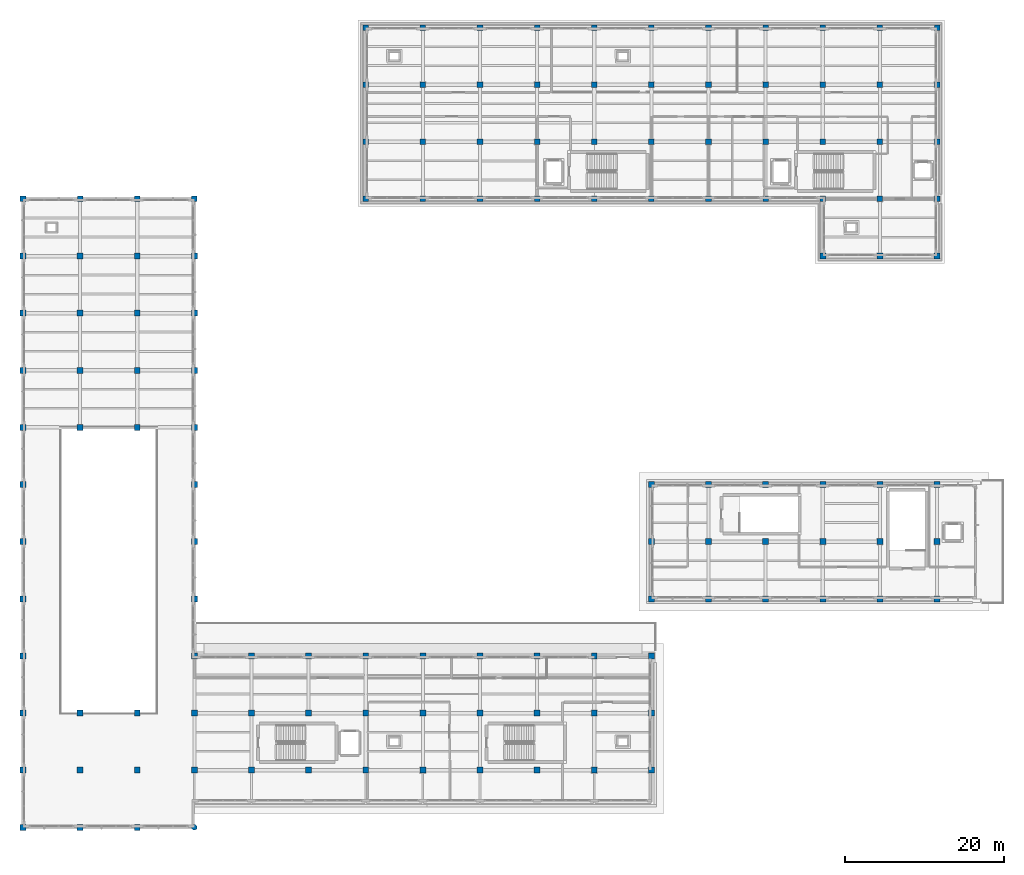
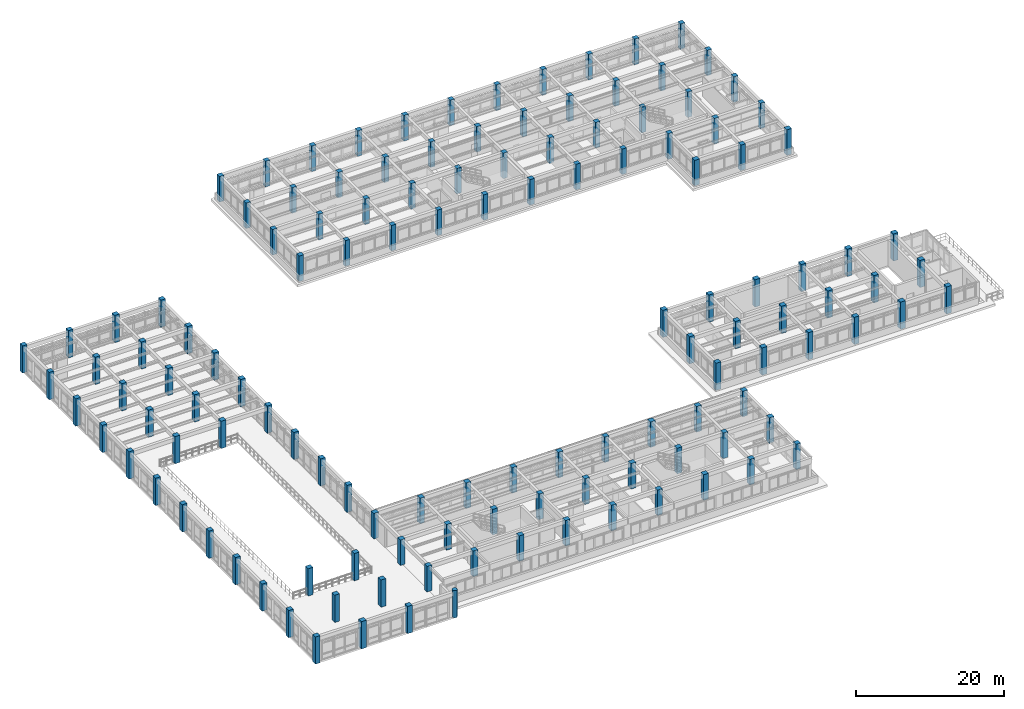
# One storey, part 1 of 64: 129 columns.
"""IFC4 building model written with IfcOpenShell, lengths in metres."""

import ifcopenshell
import ifcopenshell.guid

model = None  # the IFC model being written
_history = None  # IfcOwnerHistory: only IFC2X3 demands one
_inside = {}  # id of a spatial element -> (the spatial element, [elements in it])
_under = {}  # id of a project, library or spatial element -> (it, [spatial elements below it])
_declared = {}  # id of a project -> (the project, [libraries it declares])
_typed = {}  # id of a type object -> (the type object, [elements of that type])
_made_of = {}  # id of a material, layer set ... -> (it, [elements and type objects made of it])


def new_model(schema):
    """Start an empty IFC model of exactly this schema.

    Asked for "IFC4X3", IfcOpenShell would pick the latest addendum, in which some entities
    have other attributes; the version numbers below select the first issue.
    IFC2X3 requires an IfcOwnerHistory on every rooted entity: one is made here for all.
    """
    global model, _history
    if schema == "IFC4X3":
        model = ifcopenshell.file(schema_version=(4, 3, 0, 0))
    else:
        model = ifcopenshell.file(schema=schema)
    _inside.clear()
    _under.clear()
    _declared.clear()
    _typed.clear()
    _made_of.clear()
    _history = None
    if model.schema == "IFC2X3":
        org = make("IfcOrganization", Name="unknown")
        user = make(
            "IfcPersonAndOrganization",
            ThePerson=make("IfcPerson", FamilyName="unknown"),
            TheOrganization=org,
        )
        app = make(
            "IfcApplication",
            ApplicationDeveloper=org,
            Version="unknown",
            ApplicationFullName="unknown",
            ApplicationIdentifier="unknown",
        )
        _history = make(
            "IfcOwnerHistory",
            OwningUser=user,
            OwningApplication=app,
            ChangeAction="ADDED",
            CreationDate=0,
        )
    return model


def make(cls, **values):
    """One entity of the class cls with the attributes given. An attribute that is None is left unset."""
    return model.create_entity(
        cls, **{name: value for name, value in values.items() if value is not None}
    )


def rooted(cls, **values):
    """An entity with a GlobalId (a new one), such as an element, a storey or a relation."""
    return make(cls, GlobalId=ifcopenshell.guid.new(), OwnerHistory=_history, **values)


def si_unit(unit_type, name, prefix=None):
    """IfcSIUnit, for example si_unit("LENGTHUNIT", "METRE", prefix="MILLI")."""
    return make("IfcSIUnit", UnitType=unit_type, Prefix=prefix, Name=name)


def assignment(units):
    """IfcUnitAssignment: the units of a project."""
    return None if units is None else make("IfcUnitAssignment", Units=units)


def point(xyz):
    """IfcCartesianPoint."""
    return None if xyz is None else make("IfcCartesianPoint", Coordinates=xyz)


def direction(xyz):
    """IfcDirection."""
    return None if xyz is None else make("IfcDirection", DirectionRatios=xyz)


def frame(location, z_axis=None, x_axis=None):
    """IfcAxis2Placement3D, a coordinate frame: its origin and axes. An axis left out is left unset."""
    return make(
        "IfcAxis2Placement3D",
        Location=point(location),
        Axis=direction(z_axis),
        RefDirection=direction(x_axis),
    )


def frame_2d(location, x_axis=None):
    """IfcAxis2Placement2D, a coordinate frame in the plane: its origin and x axis."""
    return make(
        "IfcAxis2Placement2D", Location=point(location), RefDirection=direction(x_axis)
    )


def origin():
    """The frame at (0, 0, 0) with its axes left unset."""
    return frame((0.0, 0.0, 0.0))


def origin_2d():
    """The frame at (0, 0) in the plane with its x axis left unset."""
    return frame_2d((0.0, 0.0))


def place(relative_to, where):
    """IfcLocalPlacement: puts the frame where relative to a parent placement (None: the world)."""
    return make(
        "IfcLocalPlacement", PlacementRelTo=relative_to, RelativePlacement=where
    )


def context(
    kind, dimensions, precision=None, world=None, true_north=None, identifier=None
):
    """IfcGeometricRepresentationContext, for example the 3D "Model" context."""
    return make(
        "IfcGeometricRepresentationContext",
        ContextIdentifier=identifier,
        ContextType=kind,
        CoordinateSpaceDimension=dimensions,
        Precision=precision,
        WorldCoordinateSystem=world,
        TrueNorth=true_north,
    )


def subcontext(parent, identifier, kind, view, scale=None):
    """IfcGeometricRepresentationSubContext, for example "Body" below "Model"."""
    return make(
        "IfcGeometricRepresentationSubContext",
        ContextIdentifier=identifier,
        ContextType=kind,
        ParentContext=parent,
        TargetScale=scale,
        TargetView=view,
    )


def project(units=None, contexts=None):
    """IfcProject with its units and contexts."""
    return rooted(
        "IfcProject",
        Name="project",
        RepresentationContexts=contexts,
        UnitsInContext=assignment(units),
    )


def spatial(cls, under=None, at=None, **own):
    """A site, building, storey or space (cls), placed at a placement, below another one or the project."""
    s = rooted(cls, ObjectPlacement=at, **own)
    if under is not None:
        _under.setdefault(under.id(), (under, []))[1].append(s)
    return s


def profile(cls, at=None, kind="AREA", **sizes):
    """A parametric profile (cls). Its sizes go by their IFC names, for example OverallWidth=200.0."""
    return make(cls, ProfileType=kind, Position=at, **sizes)


def rectangle(**sizes):
    """IfcRectangleProfileDef."""
    return profile("IfcRectangleProfileDef", **sizes)


def circle(**sizes):
    """IfcCircleProfileDef."""
    return profile("IfcCircleProfileDef", **sizes)


def extrude(swept, where, along, depth):
    """IfcExtrudedAreaSolid: the profile swept, set in the frame where, extruded along a direction by depth."""
    return make(
        "IfcExtrudedAreaSolid",
        SweptArea=swept,
        Position=where,
        ExtrudedDirection=direction(along),
        Depth=depth,
    )


def shape(context_of_items, identifier, shape_type, items):
    """IfcShapeRepresentation: the items that make up one representation, for example the "Body"."""
    return make(
        "IfcShapeRepresentation",
        ContextOfItems=context_of_items,
        RepresentationIdentifier=identifier,
        RepresentationType=shape_type,
        Items=items,
    )


def material(Name=None, Category=None):
    """IfcMaterial."""
    return make("IfcMaterial", Name=Name, Category=Category)


def material_profile(
    of_material, cross_section, Name=None, Category=None, Priority=None
):
    """IfcMaterialProfile: a cross section and its material."""
    return make(
        "IfcMaterialProfile",
        Name=Name,
        Material=of_material,
        Profile=cross_section,
        Priority=Priority,
        Category=Category,
    )


def profile_set(profiles, Name=None, composite=None):
    """IfcMaterialProfileSet."""
    return make(
        "IfcMaterialProfileSet",
        Name=Name,
        MaterialProfiles=profiles,
        CompositeProfile=composite,
    )


def made_of(thing, what):
    """Note that an element or type object is made of a material, layer set ...; save() writes the relation."""
    if what is not None:
        _made_of.setdefault(what.id(), (what, []))[1].append(thing)
    return thing


def type_object(cls, material=None, **own):
    """A type object (cls), such as IfcWallType, which elements share."""
    return made_of(rooted(cls, **own), material)


def element(
    cls,
    number,
    at=None,
    inside=None,
    cuts=None,
    type_object=None,
    material=None,
    context=None,
    identifier="Body",
    shape_type=None,
    held_by="IfcProductDefinitionShape",
    body=None,
    shapes=None,
    **own,
):
    """One element of the class cls, such as IfcWall. Its Tag is "e" and its number.

    at: its placement. inside: the storey or other place that contains it. cuts: it is an
    opening in that element (IfcRelVoidsElement). A single representation is given by context,
    identifier, shape_type and body (its items); several are given by shapes. held_by: the class
    of the entity that holds the representations. save() writes the other relations.
    """
    e = rooted(cls, Tag="e%d" % number, ObjectPlacement=at, **own)
    if body is not None:
        shapes = [shape(context, identifier, shape_type, body)]
    if shapes is not None:
        e.Representation = make(held_by, Representations=shapes)
    if inside is not None:
        _inside.setdefault(inside.id(), (inside, []))[1].append(e)
    if cuts is not None:
        rooted(
            "IfcRelVoidsElement", RelatingBuildingElement=cuts, RelatedOpeningElement=e
        )
    if type_object is not None:
        _typed.setdefault(type_object.id(), (type_object, []))[1].append(e)
    return made_of(e, material)


def aggregate(whole, parts):
    """IfcRelAggregates: a whole, such as a stair, and the parts it consists of."""
    return rooted("IfcRelAggregates", RelatingObject=whole, RelatedObjects=parts)


def save(model, path):
    """Write the relations noted so far, then the file.

    IfcRelAggregates (storeys below a building ...), IfcRelContainedInSpatialStructure (elements
    in a storey), IfcRelDefinesByType, IfcRelAssociatesMaterial and IfcRelDeclares: one each for
    every whole, place, type object, material and project.
    """
    for whole, parts in _under.values():
        aggregate(whole, parts)
    for where, things in _inside.values():
        rooted(
            "IfcRelContainedInSpatialStructure",
            RelatedElements=things,
            RelatingStructure=where,
        )
    for kind, things in _typed.values():
        rooted("IfcRelDefinesByType", RelatedObjects=things, RelatingType=kind)
    for what, things in _made_of.values():
        rooted("IfcRelAssociatesMaterial", RelatedObjects=things, RelatingMaterial=what)
    for by, libraries in _declared.values():
        rooted("IfcRelDeclares", RelatingContext=by, RelatedDefinitions=libraries)
    model.write(path)


model = new_model("IFC4")

# Units and contexts
model_context = context("Model", 3, precision=1e-05, world=origin(), true_north=direction((0.0, 1.0)))
body_context = subcontext(model_context, "Body", "Model", "MODEL_VIEW")
ifc_project = project(units=[si_unit("LENGTHUNIT", "METRE"), si_unit("AREAUNIT", "SQUARE_METRE"), si_unit("VOLUMEUNIT", "CUBIC_METRE"), si_unit("PLANEANGLEUNIT", "RADIAN"), si_unit("MASSUNIT", "GRAM", prefix="KILO")], contexts=[model_context])

# Site, building, storey
site_placement = place(None, origin())
site = spatial("IfcSite", under=ifc_project, at=site_placement, CompositionType="ELEMENT")
building_placement = place(site_placement, origin())
building = spatial("IfcBuilding", under=site, at=building_placement, Name="Solenvale Faculty of Natural Sciences", CompositionType="ELEMENT")
storey_placement = place(building_placement, frame((0.0, 0.0, 18.0)))
storey = spatial("IfcBuildingStorey", under=building, at=storey_placement, Name="L04", CompositionType="ELEMENT", Elevation=18.0)

# Columns
ifc_material_1 = material(Name="Concrete 40 MPa", Category="concrete")
ifc_material_profile_1 = material_profile(ifc_material_1, rectangle(XDim=0.699951171875, YDim=0.699951171875, at=origin_2d()), Name="RC-COL-700x700")
ifc_profile_set_1 = profile_set([ifc_material_profile_1], Name="Concrete 40 MPa")
column_type_1 = type_object("IfcColumnType", Name="COL-RC-700", PredefinedType="COLUMN", material=ifc_profile_set_1)
for number, where, z_axis, x_axis, name in (
    (1, (36.0, 93.60009765625, 0.0), (0.0, 0.0, 1.0), (1.0, 0.0, 0.0), "L04 Column (36.0, 93.6)"),
    (2, (43.199951171875, 93.60009765625, 0.0), (0.0, 0.0, 1.0), (1.0, 0.0, 0.0), "L04 Column (43.2, 93.6)"),
    (3, (50.39990234375, 93.60009765625, 0.0), (0.0, 0.0, 1.0), (1.0, 0.0, 0.0), "L04 Column (50.4, 93.6)"),
    (4, (57.60009765625, 93.60009765625, 0.0), (0.0, 0.0, 1.0), (1.0, 0.0, 0.0), "L04 Column (57.6, 93.6)"),
):
    element("IfcColumn", number, at=place(storey_placement, frame(where, z_axis=z_axis, x_axis=x_axis)), inside=storey, type_object=column_type_1, Name=name, PredefinedType="COLUMN", context=body_context, shape_type="SweptSolid", body=[
        extrude(rectangle(XDim=0.699951171875, YDim=0.699951171875, at=origin_2d()), origin(), (0.0, 0.0, 1.0), 4.5),
    ])
for number, where, z_axis, x_axis, name in (
    (5, (79.199951171875, 93.60009765625, 0.0), (0.0, 0.0, 1.0), (1.0, 0.0, 0.0), "L04 Column (79.2, 93.6)"),
    (6, (79.199951171875, 100.800048828125, 0.0), (0.0, 0.0, 1.0), (1.0, 0.0, 0.0), "L04 Column (79.2, 100.8)"),
    (7, (79.199951171875, 108.0, 0.0), (0.0, 0.0, 1.0), (1.0, 0.0, 0.0), "L04 Column (79.2, 108.0)"),
    (8, (79.199951171875, 115.199951171875, 0.0), (0.0, 0.0, 1.0), (1.0, 0.0, 0.0), "L04 Column (79.2, 115.2)"),
    (9, (86.39990234375, 93.60009765625, 0.0), (0.0, 0.0, 1.0), (1.0, 0.0, 0.0), "L04 Column (86.4, 93.6)"),
    (10, (86.39990234375, 100.800048828125, 0.0), (0.0, 0.0, 1.0), (1.0, 0.0, 0.0), "L04 Column (86.4, 100.8)"),
    (11, (86.39990234375, 108.0, 0.0), (0.0, 0.0, 1.0), (1.0, 0.0, 0.0), "L04 Column (86.4, 108.0)"),
    (12, (86.39990234375, 115.199951171875, 0.0), (0.0, 0.0, 1.0), (1.0, 0.0, 0.0), "L04 Column (86.4, 115.2)"),
    (13, (93.60009765625, 93.60009765625, 0.0), (0.0, 0.0, 1.0), (1.0, 0.0, 0.0), "L04 Column (93.6, 93.6)"),
    (14, (93.60009765625, 100.800048828125, 0.0), (0.0, 0.0, 1.0), (1.0, 0.0, 0.0), "L04 Column (93.6, 100.8)"),
    (15, (93.60009765625, 108.0, 0.0), (0.0, 0.0, 1.0), (1.0, 0.0, 0.0), "L04 Column (93.6, 108.0)"),
    (16, (93.60009765625, 115.199951171875, 0.0), (0.0, 0.0, 1.0), (1.0, 0.0, 0.0), "L04 Column (93.6, 115.2)"),
    (17, (100.800048828125, 93.60009765625, 0.0), (0.0, 0.0, 1.0), (1.0, 0.0, 0.0), "L04 Column (100.8, 93.6)"),
    (18, (100.800048828125, 100.800048828125, 0.0), (0.0, 0.0, 1.0), (1.0, 0.0, 0.0), "L04 Column (100.8, 100.8)"),
    (19, (100.800048828125, 108.0, 0.0), (0.0, 0.0, 1.0), (1.0, 0.0, 0.0), "L04 Column (100.8, 108.0)"),
    (20, (100.800048828125, 115.199951171875, 0.0), (0.0, 0.0, 1.0), (1.0, 0.0, 0.0), "L04 Column (100.8, 115.2)"),
    (21, (108.0, 93.60009765625, 0.0), (0.0, 0.0, 1.0), (1.0, 0.0, 0.0), "L04 Column (108.0, 93.6)"),
    (22, (108.0, 100.800048828125, 0.0), (0.0, 0.0, 1.0), (1.0, 0.0, 0.0), "L04 Column (108.0, 100.8)"),
    (23, (108.0, 108.0, 0.0), (0.0, 0.0, 1.0), (1.0, 0.0, 0.0), "L04 Column (108.0, 108.0)"),
    (24, (108.0, 115.199951171875, 0.0), (0.0, 0.0, 1.0), (1.0, 0.0, 0.0), "L04 Column (108.0, 115.2)"),
    (25, (115.199951171875, 93.60009765625, 0.0), (0.0, 0.0, 1.0), (1.0, 0.0, 0.0), "L04 Column (115.2, 93.6)"),
    (26, (115.199951171875, 100.800048828125, 0.0), (0.0, 0.0, 1.0), (1.0, 0.0, 0.0), "L04 Column (115.2, 100.8)"),
    (27, (115.199951171875, 108.0, 0.0), (0.0, 0.0, 1.0), (1.0, 0.0, 0.0), "L04 Column (115.2, 108.0)"),
    (28, (115.199951171875, 115.199951171875, 0.0), (0.0, 0.0, 1.0), (1.0, 0.0, 0.0), "L04 Column (115.2, 115.2)"),
    (29, (122.39990234375, 93.60009765625, 0.0), (0.0, 0.0, 1.0), (1.0, 0.0, 0.0), "L04 Column (122.4, 93.6)"),
    (30, (122.39990234375, 100.800048828125, 0.0), (0.0, 0.0, 1.0), (1.0, 0.0, 0.0), "L04 Column (122.4, 100.8)"),
    (31, (122.39990234375, 108.0, 0.0), (0.0, 0.0, 1.0), (1.0, 0.0, 0.0), "L04 Column (122.4, 108.0)"),
    (32, (122.39990234375, 115.199951171875, 0.0), (0.0, 0.0, 1.0), (1.0, 0.0, 0.0), "L04 Column (122.4, 115.2)"),
    (33, (129.60009765625, 93.60009765625, 0.0), (0.0, 0.0, 1.0), (1.0, 0.0, 0.0), "L04 Column (129.6, 93.6)"),
    (34, (129.60009765625, 100.800048828125, 0.0), (0.0, 0.0, 1.0), (1.0, 0.0, 0.0), "L04 Column (129.6, 100.8)"),
    (35, (129.60009765625, 108.0, 0.0), (0.0, 0.0, 1.0), (1.0, 0.0, 0.0), "L04 Column (129.6, 108.0)"),
    (36, (129.60009765625, 115.199951171875, 0.0), (0.0, 0.0, 1.0), (1.0, 0.0, 0.0), "L04 Column (129.6, 115.2)"),
    (37, (136.800048828125, 93.60009765625, 0.0), (0.0, 0.0, 1.0), (1.0, 0.0, 0.0), "L04 Column (136.8, 93.6)"),
    (38, (136.800048828125, 100.800048828125, 0.0), (0.0, 0.0, 1.0), (1.0, 0.0, 0.0), "L04 Column (136.8, 100.8)"),
    (39, (136.800048828125, 108.0, 0.0), (0.0, 0.0, 1.0), (1.0, 0.0, 0.0), "L04 Column (136.8, 108.0)"),
    (40, (136.800048828125, 115.199951171875, 0.0), (0.0, 0.0, 1.0), (1.0, 0.0, 0.0), "L04 Column (136.8, 115.2)"),
    (41, (144.0, 93.60009765625, 0.0), (0.0, 0.0, 1.0), (1.0, 0.0, 0.0), "L04 Column (144.0, 93.6)"),
    (42, (144.0, 100.800048828125, 0.0), (0.0, 0.0, 1.0), (1.0, 0.0, 0.0), "L04 Column (144.0, 100.8)"),
    (43, (144.0, 108.0, 0.0), (0.0, 0.0, 1.0), (1.0, 0.0, 0.0), "L04 Column (144.0, 108.0)"),
    (44, (144.0, 115.199951171875, 0.0), (0.0, 0.0, 1.0), (1.0, 0.0, 0.0), "L04 Column (144.0, 115.2)"),
    (45, (151.199951171875, 93.60009765625, 0.0), (0.0, 0.0, 1.0), (1.0, 0.0, 0.0), "L04 Column (151.2, 93.6)"),
    (46, (151.199951171875, 100.800048828125, 0.0), (0.0, 0.0, 1.0), (1.0, 0.0, 0.0), "L04 Column (151.2, 100.8)"),
    (47, (151.199951171875, 108.0, 0.0), (0.0, 0.0, 1.0), (1.0, 0.0, 0.0), "L04 Column (151.2, 108.0)"),
    (48, (151.199951171875, 115.199951171875, 0.0), (0.0, 0.0, 1.0), (1.0, 0.0, 0.0), "L04 Column (151.2, 115.2)"),
):
    element("IfcColumn", number, at=place(storey_placement, frame(where, z_axis=z_axis, x_axis=x_axis)), inside=storey, type_object=column_type_1, Name=name, PredefinedType="COLUMN", context=body_context, shape_type="SweptSolid", body=[
        extrude(rectangle(XDim=0.699951171875, YDim=0.699951171875, at=origin_2d()), origin(), (0.0, 0.0, 1.0), 4.219970703125),
    ])
ifc_material_2 = material(Name="Concrete 50 MPa", Category="concrete")
ifc_material_profile_2 = material_profile(ifc_material_2, rectangle(XDim=0.75, YDim=0.75, at=origin_2d()), Name="RC-COL-750x750")
ifc_profile_set_2 = profile_set([ifc_material_profile_2], Name="Concrete 50 MPa")
column_type_2 = type_object("IfcColumnType", Name="COL-RC-750", PredefinedType="COLUMN", material=ifc_profile_set_2)
for number, where, z_axis, x_axis, name in (
    (49, (36.0, 14.39990234375, 0.0), (0.0, 0.0, 1.0), (1.0, 0.0, 0.0), "L04 Column (36.0, 14.4)"),
    (50, (36.0, 21.60009765625, 0.0), (0.0, 0.0, 1.0), (1.0, 0.0, 0.0), "L04 Column (36.0, 21.6)"),
    (51, (36.0, 28.800048828125, 0.0), (0.0, 0.0, 1.0), (1.0, 0.0, 0.0), "L04 Column (36.0, 28.8)"),
    (52, (36.0, 36.0, 0.0), (0.0, 0.0, 1.0), (1.0, 0.0, 0.0), "L04 Column (36.0, 36.0)"),
    (53, (36.0, 43.199951171875, 0.0), (0.0, 0.0, 1.0), (1.0, 0.0, 0.0), "L04 Column (36.0, 43.2)"),
    (54, (36.0, 50.39990234375, 0.0), (0.0, 0.0, 1.0), (1.0, 0.0, 0.0), "L04 Column (36.0, 50.4)"),
    (55, (36.0, 57.60009765625, 0.0), (0.0, 0.0, 1.0), (1.0, 0.0, 0.0), "L04 Column (36.0, 57.6)"),
    (56, (36.0, 64.800048828125, 0.0), (0.0, 0.0, 1.0), (1.0, 0.0, 0.0), "L04 Column (36.0, 64.8)"),
    (57, (36.0, 72.0, 0.0), (0.0, 0.0, 1.0), (1.0, 0.0, 0.0), "L04 Column (36.0, 72.0)"),
    (58, (36.0, 79.199951171875, 0.0), (0.0, 0.0, 1.0), (1.0, 0.0, 0.0), "L04 Column (36.0, 79.2)"),
    (59, (36.0, 86.39990234375, 0.0), (0.0, 0.0, 1.0), (1.0, 0.0, 0.0), "L04 Column (36.0, 86.4)"),
    (60, (43.199951171875, 14.39990234375, 0.0), (0.0, 0.0, 1.0), (1.0, 0.0, 0.0), "L04 Column (43.2, 14.4)"),
    (61, (43.199951171875, 21.60009765625, 0.0), (0.0, 0.0, 1.0), (1.0, 0.0, 0.0), "L04 Column (43.2, 21.6)"),
    (62, (43.199951171875, 28.800048828125, 0.0), (0.0, 0.0, 1.0), (1.0, 0.0, 0.0), "L04 Column (43.2, 28.8)"),
    (63, (43.199951171875, 64.800048828125, 0.0), (0.0, 0.0, 1.0), (1.0, 0.0, 0.0), "L04 Column (43.2, 64.8)"),
    (64, (43.199951171875, 72.0, 0.0), (0.0, 0.0, 1.0), (1.0, 0.0, 0.0), "L04 Column (43.2, 72.0)"),
    (65, (43.199951171875, 79.199951171875, 0.0), (0.0, 0.0, 1.0), (1.0, 0.0, 0.0), "L04 Column (43.2, 79.2)"),
    (66, (43.199951171875, 86.39990234375, 0.0), (0.0, 0.0, 1.0), (1.0, 0.0, 0.0), "L04 Column (43.2, 86.4)"),
    (67, (50.39990234375, 14.39990234375, 0.0), (0.0, 0.0, 1.0), (1.0, 0.0, 0.0), "L04 Column (50.4, 14.4)"),
    (68, (50.39990234375, 21.60009765625, 0.0), (0.0, 0.0, 1.0), (1.0, 0.0, 0.0), "L04 Column (50.4, 21.6)"),
    (69, (50.39990234375, 28.800048828125, 0.0), (0.0, 0.0, 1.0), (1.0, 0.0, 0.0), "L04 Column (50.4, 28.8)"),
    (70, (50.39990234375, 64.800048828125, 0.0), (0.0, 0.0, 1.0), (1.0, 0.0, 0.0), "L04 Column (50.4, 64.8)"),
    (71, (50.39990234375, 72.0, 0.0), (0.0, 0.0, 1.0), (1.0, 0.0, 0.0), "L04 Column (50.4, 72.0)"),
    (72, (50.39990234375, 79.199951171875, 0.0), (0.0, 0.0, 1.0), (1.0, 0.0, 0.0), "L04 Column (50.4, 79.2)"),
    (73, (50.39990234375, 86.39990234375, 0.0), (0.0, 0.0, 1.0), (1.0, 0.0, 0.0), "L04 Column (50.4, 86.4)"),
):
    element("IfcColumn", number, at=place(storey_placement, frame(where, z_axis=z_axis, x_axis=x_axis)), inside=storey, type_object=column_type_2, Name=name, PredefinedType="COLUMN", context=body_context, shape_type="SweptSolid", body=[
        extrude(rectangle(XDim=0.75, YDim=0.75, at=origin_2d()), origin(), (0.0, 0.0, 1.0), 4.5),
    ])
for number, where, z_axis, x_axis, name in (
    (74, (57.60009765625, 21.60009765625, 0.0), (0.0, 0.0, 1.0), (1.0, 0.0, 0.0), "L04 Column (57.6, 21.6)"),
    (75, (57.60009765625, 28.800048828125, 0.0), (0.0, 0.0, 1.0), (1.0, 0.0, 0.0), "L04 Column (57.6, 28.8)"),
    (76, (57.60009765625, 36.0, 0.0), (0.0, 0.0, 1.0), (1.0, 0.0, 0.0), "L04 Column (57.6, 36.0)"),
):
    element("IfcColumn", number, at=place(storey_placement, frame(where, z_axis=z_axis, x_axis=x_axis)), inside=storey, type_object=column_type_2, Name=name, PredefinedType="COLUMN", context=body_context, shape_type="SweptSolid", body=[
        extrude(rectangle(XDim=0.75, YDim=0.75, at=origin_2d()), origin(), (0.0, 0.0, 1.0), 4.219970703125),
    ])
for number, where, z_axis, x_axis, name in (
    (77, (57.60009765625, 43.199951171875, 0.0), (0.0, 0.0, 1.0), (1.0, 0.0, 0.0), "L04 Column (57.6, 43.2)"),
    (78, (57.60009765625, 50.39990234375, 0.0), (0.0, 0.0, 1.0), (1.0, 0.0, 0.0), "L04 Column (57.6, 50.4)"),
    (79, (57.60009765625, 57.60009765625, 0.0), (0.0, 0.0, 1.0), (1.0, 0.0, 0.0), "L04 Column (57.6, 57.6)"),
    (80, (57.60009765625, 64.800048828125, 0.0), (0.0, 0.0, 1.0), (1.0, 0.0, 0.0), "L04 Column (57.6, 64.8)"),
    (81, (57.60009765625, 72.0, 0.0), (0.0, 0.0, 1.0), (1.0, 0.0, 0.0), "L04 Column (57.6, 72.0)"),
    (82, (57.60009765625, 79.199951171875, 0.0), (0.0, 0.0, 1.0), (1.0, 0.0, 0.0), "L04 Column (57.6, 79.2)"),
    (83, (57.60009765625, 86.39990234375, 0.0), (0.0, 0.0, 1.0), (1.0, 0.0, 0.0), "L04 Column (57.6, 86.4)"),
):
    element("IfcColumn", number, at=place(storey_placement, frame(where, z_axis=z_axis, x_axis=x_axis)), inside=storey, type_object=column_type_2, Name=name, PredefinedType="COLUMN", context=body_context, shape_type="SweptSolid", body=[
        extrude(rectangle(XDim=0.75, YDim=0.75, at=origin_2d()), origin(), (0.0, 0.0, 1.0), 4.5),
    ])
for number, where, z_axis, x_axis, name in (
    (84, (64.800048828125, 21.60009765625, 0.0), (0.0, 0.0, 1.0), (1.0, 0.0, 0.0), "L04 Column (64.8, 21.6)"),
    (85, (64.800048828125, 28.800048828125, 0.0), (0.0, 0.0, 1.0), (1.0, 0.0, 0.0), "L04 Column (64.8, 28.8)"),
    (86, (64.800048828125, 36.0, 0.0), (0.0, 0.0, 1.0), (1.0, 0.0, 0.0), "L04 Column (64.8, 36.0)"),
    (87, (72.0, 21.60009765625, 0.0), (0.0, 0.0, 1.0), (1.0, 0.0, 0.0), "L04 Column (72.0, 21.6)"),
    (88, (72.0, 28.800048828125, 0.0), (0.0, 0.0, 1.0), (1.0, 0.0, 0.0), "L04 Column (72.0, 28.8)"),
    (89, (72.0, 36.0, 0.0), (0.0, 0.0, 1.0), (1.0, 0.0, 0.0), "L04 Column (72.0, 36.0)"),
    (90, (79.199951171875, 21.60009765625, 0.0), (0.0, 0.0, 1.0), (1.0, 0.0, 0.0), "L04 Column (79.2, 21.6)"),
    (91, (79.199951171875, 28.800048828125, 0.0), (0.0, 0.0, 1.0), (1.0, 0.0, 0.0), "L04 Column (79.2, 28.8)"),
    (92, (79.199951171875, 36.0, 0.0), (0.0, 0.0, 1.0), (1.0, 0.0, 0.0), "L04 Column (79.2, 36.0)"),
    (93, (86.39990234375, 21.60009765625, 0.0), (0.0, 0.0, 1.0), (1.0, 0.0, 0.0), "L04 Column (86.4, 21.6)"),
    (94, (86.39990234375, 28.800048828125, 0.0), (0.0, 0.0, 1.0), (1.0, 0.0, 0.0), "L04 Column (86.4, 28.8)"),
    (95, (86.39990234375, 36.0, 0.0), (0.0, 0.0, 1.0), (1.0, 0.0, 0.0), "L04 Column (86.4, 36.0)"),
    (96, (93.60009765625, 21.60009765625, 0.0), (0.0, 0.0, 1.0), (1.0, 0.0, 0.0), "L04 Column (93.6, 21.6)"),
    (97, (93.60009765625, 28.800048828125, 0.0), (0.0, 0.0, 1.0), (1.0, 0.0, 0.0), "L04 Column (93.6, 28.8)"),
    (98, (93.60009765625, 36.0, 0.0), (0.0, 0.0, 1.0), (1.0, 0.0, 0.0), "L04 Column (93.6, 36.0)"),
    (99, (100.800048828125, 21.60009765625, 0.0), (0.0, 0.0, 1.0), (1.0, 0.0, 0.0), "L04 Column (100.8, 21.6)"),
    (100, (100.800048828125, 28.800048828125, 0.0), (0.0, 0.0, 1.0), (1.0, 0.0, 0.0), "L04 Column (100.8, 28.8)"),
    (101, (100.800048828125, 36.0, 0.0), (0.0, 0.0, 1.0), (1.0, 0.0, 0.0), "L04 Column (100.8, 36.0)"),
    (102, (108.0, 21.60009765625, 0.0), (0.0, 0.0, 1.0), (1.0, 0.0, 0.0), "L04 Column (108.0, 21.6)"),
    (103, (108.0, 28.800048828125, 0.0), (0.0, 0.0, 1.0), (1.0, 0.0, 0.0), "L04 Column (108.0, 28.8)"),
    (104, (108.0, 36.0, 0.0), (0.0, 0.0, 1.0), (1.0, 0.0, 0.0), "L04 Column (108.0, 36.0)"),
    (105, (115.199951171875, 21.60009765625, 0.0), (0.0, 0.0, 1.0), (1.0, 0.0, 0.0), "L04 Column (115.2, 21.6)"),
    (106, (115.199951171875, 28.800048828125, 0.0), (0.0, 0.0, 1.0), (1.0, 0.0, 0.0), "L04 Column (115.2, 28.8)"),
    (107, (115.199951171875, 36.0, 0.0), (0.0, 0.0, 1.0), (1.0, 0.0, 0.0), "L04 Column (115.2, 36.0)"),
):
    element("IfcColumn", number, at=place(storey_placement, frame(where, z_axis=z_axis, x_axis=x_axis)), inside=storey, type_object=column_type_2, Name=name, PredefinedType="COLUMN", context=body_context, shape_type="SweptSolid", body=[
        extrude(rectangle(XDim=0.75, YDim=0.75, at=origin_2d()), origin(), (0.0, 0.0, 1.0), 4.219970703125),
    ])
for number, where, z_axis, x_axis, name in (
    (108, (115.199951171875, 43.199951171875, 0.0), (0.0, 0.0, 1.0), (1.0, 0.0, 0.0), "L04 Column (115.2, 43.2)"),
    (109, (115.199951171875, 50.39990234375, 0.0), (0.0, 0.0, 1.0), (1.0, 0.0, 0.0), "L04 Column (115.2, 50.4)"),
    (110, (115.199951171875, 57.60009765625, 0.0), (0.0, 0.0, 1.0), (1.0, 0.0, 0.0), "L04 Column (115.2, 57.6)"),
    (111, (122.39990234375, 43.199951171875, 0.0), (0.0, 0.0, 1.0), (1.0, 0.0, 0.0), "L04 Column (122.4, 43.2)"),
    (112, (122.39990234375, 50.39990234375, 0.0), (0.0, 0.0, 1.0), (1.0, 0.0, 0.0), "L04 Column (122.4, 50.4)"),
    (113, (122.39990234375, 57.60009765625, 0.0), (0.0, 0.0, 1.0), (1.0, 0.0, 0.0), "L04 Column (122.4, 57.6)"),
    (114, (129.60009765625, 43.199951171875, 0.0), (0.0, 0.0, 1.0), (1.0, 0.0, 0.0), "L04 Column (129.6, 43.2)"),
    (115, (129.60009765625, 50.39990234375, 0.0), (0.0, 0.0, 1.0), (1.0, 0.0, 0.0), "L04 Column (129.6, 50.4)"),
    (116, (129.60009765625, 57.60009765625, 0.0), (0.0, 0.0, 1.0), (1.0, 0.0, 0.0), "L04 Column (129.6, 57.6)"),
    (117, (136.800048828125, 43.199951171875, 0.0), (0.0, 0.0, 1.0), (1.0, 0.0, 0.0), "L04 Column (136.8, 43.2)"),
    (118, (136.800048828125, 50.39990234375, 0.0), (0.0, 0.0, 1.0), (1.0, 0.0, 0.0), "L04 Column (136.8, 50.4)"),
    (119, (136.800048828125, 57.60009765625, 0.0), (0.0, 0.0, 1.0), (1.0, 0.0, 0.0), "L04 Column (136.8, 57.6)"),
):
    element("IfcColumn", number, at=place(storey_placement, frame(where, z_axis=z_axis, x_axis=x_axis)), inside=storey, type_object=column_type_2, Name=name, PredefinedType="COLUMN", context=body_context, shape_type="SweptSolid", body=[
        extrude(rectangle(XDim=0.75, YDim=0.75, at=origin_2d()), origin(), (0.0, 0.0, 1.0), 4.5),
    ])
column_1_placement = place(storey_placement, frame((136.800048828125, 86.39990234375, 0.0), z_axis=(0.0, 0.0, 1.0), x_axis=(1.0, 0.0, 0.0)))
element("IfcColumn", 120, at=column_1_placement, inside=storey, type_object=column_type_2, Name="L04 Column (136.8, 86.4)", PredefinedType="COLUMN", context=body_context, shape_type="SweptSolid", body=[
    extrude(rectangle(XDim=0.75, YDim=0.75, at=origin_2d()), origin(), (0.0, 0.0, 1.0), 4.219970703125),
])
for number, where, z_axis, x_axis, name in (
    (121, (144.0, 43.199951171875, 0.0), (0.0, 0.0, 1.0), (1.0, 0.0, 0.0), "L04 Column (144.0, 43.2)"),
    (122, (144.0, 50.39990234375, 0.0), (0.0, 0.0, 1.0), (1.0, 0.0, 0.0), "L04 Column (144.0, 50.4)"),
    (123, (144.0, 57.60009765625, 0.0), (0.0, 0.0, 1.0), (1.0, 0.0, 0.0), "L04 Column (144.0, 57.6)"),
):
    element("IfcColumn", number, at=place(storey_placement, frame(where, z_axis=z_axis, x_axis=x_axis)), inside=storey, type_object=column_type_2, Name=name, PredefinedType="COLUMN", context=body_context, shape_type="SweptSolid", body=[
        extrude(rectangle(XDim=0.75, YDim=0.75, at=origin_2d()), origin(), (0.0, 0.0, 1.0), 4.5),
    ])
column_2_placement = place(storey_placement, frame((144.0, 86.39990234375, 0.0), z_axis=(0.0, 0.0, 1.0), x_axis=(1.0, 0.0, 0.0)))
element("IfcColumn", 124, at=column_2_placement, inside=storey, type_object=column_type_2, Name="L04 Column (144.0, 86.4)", PredefinedType="COLUMN", context=body_context, shape_type="SweptSolid", body=[
    extrude(rectangle(XDim=0.75, YDim=0.75, at=origin_2d()), origin(), (0.0, 0.0, 1.0), 4.219970703125),
])
for number, where, z_axis, x_axis, name in (
    (125, (151.199951171875, 43.199951171875, 0.0), (0.0, 0.0, 1.0), (1.0, 0.0, 0.0), "L04 Column (151.2, 43.2)"),
    (126, (151.199951171875, 50.39990234375, 0.0), (0.0, 0.0, 1.0), (1.0, 0.0, 0.0), "L04 Column (151.2, 50.4)"),
    (127, (151.199951171875, 57.60009765625, 0.0), (0.0, 0.0, 1.0), (1.0, 0.0, 0.0), "L04 Column (151.2, 57.6)"),
):
    element("IfcColumn", number, at=place(storey_placement, frame(where, z_axis=z_axis, x_axis=x_axis)), inside=storey, type_object=column_type_2, Name=name, PredefinedType="COLUMN", context=body_context, shape_type="SweptSolid", body=[
        extrude(rectangle(XDim=0.75, YDim=0.75, at=origin_2d()), origin(), (0.0, 0.0, 1.0), 4.5),
    ])
column_3_placement = place(storey_placement, frame((151.199951171875, 86.39990234375, 0.0), z_axis=(0.0, 0.0, 1.0), x_axis=(1.0, 0.0, 0.0)))
element("IfcColumn", 128, at=column_3_placement, inside=storey, type_object=column_type_2, Name="L04 Column (151.2, 86.4)", PredefinedType="COLUMN", context=body_context, shape_type="SweptSolid", body=[
    extrude(rectangle(XDim=0.75, YDim=0.75, at=origin_2d()), origin(), (0.0, 0.0, 1.0), 4.219970703125),
])
ifc_material_3 = material(Name="Architectural bronze concrete 40 MPa", Category="concrete")
ifc_material_profile_3 = material_profile(ifc_material_3, circle(Radius=0.35009765625, at=origin_2d()), Name="RC-COL-D700")
ifc_profile_set_3 = profile_set([ifc_material_profile_3], Name="Architectural bronze concrete 40 MPa")
column_type_3 = type_object("IfcColumnType", Name="COL-RC-D700", PredefinedType="COLUMN", material=ifc_profile_set_3)
column_4_placement = place(storey_placement, frame((57.60009765625, 14.39990234375, 0.0), z_axis=(0.0, 0.0, 1.0), x_axis=(1.0, 0.0, 0.0)))
element("IfcColumn", 129, at=column_4_placement, inside=storey, type_object=column_type_3, Name="L04 Column (57.6, 14.4)", PredefinedType="COLUMN", context=body_context, shape_type="SweptSolid", body=[
    extrude(circle(Radius=0.35009765625, at=origin_2d()), origin(), (0.0, 0.0, 1.0), 4.5),
])

save(model, "model.ifc")
